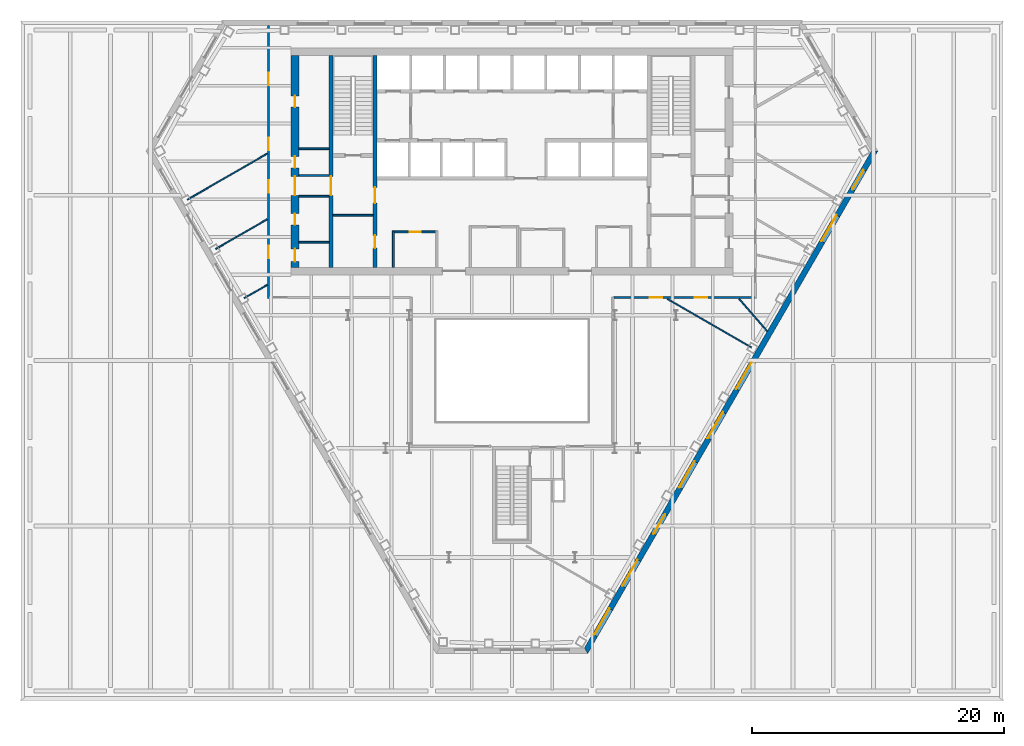
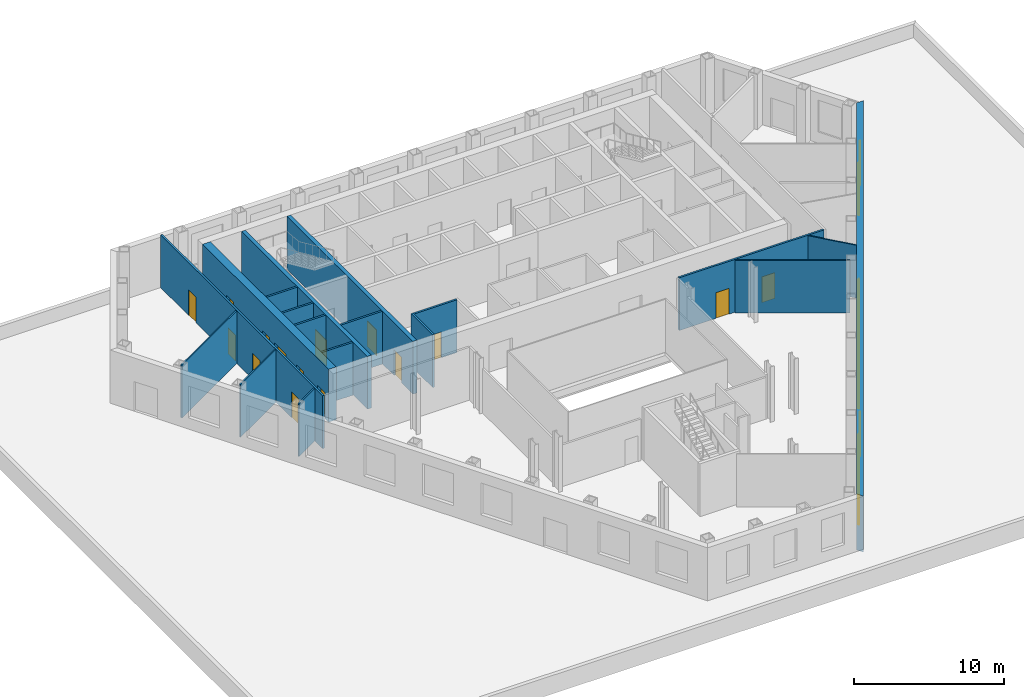
# One storey, part 7 of 14: 18 walls, 17 doors, 6 windows, 23 openings.
"""IFC4 building model written with IfcOpenShell, lengths in metres."""

from ifc_helpers import new_model, si_unit, direction, frame, frame_2d, origin, place, context, subcontext, project, spatial, polyline, rectangle, outline, extrude, material, layer, layer_set, type_object, element, fill, save


model = new_model("IFC4")

# Units and contexts
model_context = context("Model", 3, precision=1e-05, world=origin(), true_north=direction((0.0, 1.0)))
body_context = subcontext(model_context, "Body", "Model", "MODEL_VIEW")
ifc_project = project(units=[si_unit("LENGTHUNIT", "METRE"), si_unit("AREAUNIT", "SQUARE_METRE"), si_unit("VOLUMEUNIT", "CUBIC_METRE"), si_unit("PLANEANGLEUNIT", "RADIAN"), si_unit("MASSUNIT", "GRAM", prefix="KILO")], contexts=[model_context])

# Site, building, storey
site_placement = place(None, origin())
site = spatial("IfcSite", under=ifc_project, at=site_placement, CompositionType="ELEMENT")
building_placement = place(site_placement, origin())
building = spatial("IfcBuilding", under=site, at=building_placement, Name="Njiva Tower", CompositionType="ELEMENT")
storey_placement = place(building_placement, frame((0.0, 0.0, 28.8)))
storey = spatial("IfcBuildingStorey", under=building, at=storey_placement, Name="L05", CompositionType="ELEMENT", Elevation=28.8)

# Walls
ifc_material_1 = material(Name="Blockwork", Category="masonry")
ifc_layer_1 = layer(ifc_material_1, 0.15)
ifc_layer_set_1 = layer_set([ifc_layer_1], Name="Blockwork")
wall_type_1 = type_object("IfcWallType", Name="WT1 Compartment partition 150", PredefinedType="PARTITIONING", material=ifc_layer_set_1)
wall_1_placement = place(storey_placement, frame((-14.2, 4.725, 0.0), z_axis=(0.0, 0.0, 1.0), x_axis=(1.0, 0.0, 0.0)))
element("IfcWall", 1, at=wall_1_placement, inside=storey, type_object=wall_type_1, Name="Room wall A", PredefinedType="PARTITIONING", context=body_context, shape_type="SweptSolid", body=[
    extrude(rectangle(XDim=3.2, YDim=0.15, at=frame_2d((1.6, 0.0))), origin(), (0.0, 0.0, 1.0), 4.3),
])
wall_2_placement = place(storey_placement, frame((-16.9, 2.5809, 0.0), z_axis=(0.0, 0.0, 1.0), x_axis=(1.0, 0.0, 0.0)))
element("IfcWall", 2, at=wall_2_placement, inside=storey, type_object=wall_type_1, Name="Partition strip W00", PredefinedType="PARTITIONING", context=body_context, shape_type="SweptSolid", body=[
    extrude(rectangle(XDim=2.4, YDim=0.15, at=frame_2d((1.2, 0.0))), origin(), (0.0, 0.0, 1.0), 4.3),
])
wall_3_placement = place(storey_placement, frame((-9.4, 0.6, 0.0), z_axis=(0.0, 0.0, 1.0), x_axis=(0.0, 1.0, 0.0)))
element("IfcWall", 3, at=wall_3_placement, inside=storey, type_object=wall_type_1, Name="Parcel room wall west", PredefinedType="PARTITIONING", context=body_context, shape_type="SweptSolid", body=[
    extrude(rectangle(XDim=2.875, YDim=0.15, at=frame_2d((1.4375, 0.0))), origin(), (0.0, 0.0, 1.0), 4.3),
])

# Wall, opening, door
wall_4_placement = place(storey_placement, frame((-9.325, 3.4, 0.0), z_axis=(0.0, 0.0, 1.0), x_axis=(1.0, 0.0, 0.0)))
wall_4 = element("IfcWall", 4, at=wall_4_placement, inside=storey, type_object=wall_type_1, Name="Parcel room wall north", PredefinedType="PARTITIONING", context=body_context, shape_type="SweptSolid", body=[
    extrude(rectangle(XDim=3.3, YDim=0.15, at=frame_2d((1.65, 0.0))), origin(), (0.0, 0.0, 1.0), 4.3),
])
opening_1_placement = place(wall_4_placement, frame((1.2, 0.0, 0.0)))
opening_1 = element("IfcOpeningElement", 5, at=opening_1_placement, cuts=wall_4, Name="Opening S01-D932", PredefinedType="OPENING", context=body_context, shape_type="SweptSolid", body=[
    extrude(rectangle(XDim=0.9, YDim=2.1, at=frame_2d((0.45, 1.05))), frame((0.0, 0.085, 0.0), z_axis=(0.0, -1.0, 0.0), x_axis=(1.0, 0.0, 0.0)), (0.0, 0.0, 1.0), 0.17),
])
ifc_material_2 = material(Name="Steel fire door, painted", Category="steel")
door_type_1 = type_object("IfcDoorType", Name="D6 Fire-rated door 900x2100", OperationType="SINGLE_SWING_LEFT", PredefinedType="DOOR", material=ifc_material_2)
door_1_placement = place(opening_1_placement, origin())
door_1 = element("IfcDoor", 6, at=door_1_placement, inside=storey, type_object=door_type_1, Name="Parcel room door", OperationType="SINGLE_SWING_RIGHT", OverallHeight=2.1, OverallWidth=0.9, PredefinedType="DOOR", context=body_context, shape_type="SweptSolid", body=[
    extrude(rectangle(XDim=0.9, YDim=2.1, at=frame_2d((0.45, 1.05))), frame((0.0, 0.025, 0.0), z_axis=(0.0, -1.0, 0.0), x_axis=(1.0, 0.0, 0.0)), (0.0, 0.0, 1.0), 0.05),
])
fill(opening_1, door_1)

# Wall, openings, doors
ifc_material_3 = material(Name="Concrete C40/50", Category="concrete")
ifc_layer_2 = layer(ifc_material_3, 0.3)
ifc_layer_set_2 = layer_set([ifc_layer_2], Name="Concrete C40/50")
wall_type_2 = type_object("IfcWallType", Name="WT10 Stair enclosure wall 300", PredefinedType="SHEAR", material=ifc_layer_set_2)
wall_5_placement = place(storey_placement, frame((-10.85, 0.6, 0.0), z_axis=(0.0, 0.0, 1.0), x_axis=(0.0, 1.0, 0.0)))
wall_5 = element("IfcWall", 7, at=wall_5_placement, inside=storey, type_object=wall_type_2, Name="Stair wall west inner", PredefinedType="SHEAR", context=body_context, shape_type="SweptSolid", body=[
    extrude(rectangle(XDim=16.8, YDim=0.3, at=frame_2d((8.4, 0.0))), origin(), (0.0, 0.0, 1.0), 4.3),
])
opening_2_placement = place(wall_5_placement, frame((5.075, 0.0, 0.0)))
opening_2 = element("IfcOpeningElement", 8, at=opening_2_placement, cuts=wall_5, Name="Opening S01-D914", PredefinedType="OPENING", context=body_context, shape_type="SweptSolid", body=[
    extrude(rectangle(XDim=1.25, YDim=2.1, at=frame_2d((0.625, 1.05))), frame((0.0, 0.16, 0.0), z_axis=(0.0, -1.0, 0.0), x_axis=(1.0, 0.0, 0.0)), (0.0, 0.0, 1.0), 0.32),
])
opening_3_placement = place(wall_5_placement, frame((1.525, 0.0, 0.0)))
opening_3 = element("IfcOpeningElement", 9, at=opening_3_placement, cuts=wall_5, Name="Opening S01-D915", PredefinedType="OPENING", context=body_context, shape_type="SweptSolid", body=[
    extrude(rectangle(XDim=1.0, YDim=2.1, at=frame_2d((0.5, 1.05))), frame((0.0, 0.16, 0.0), z_axis=(0.0, -1.0, 0.0), x_axis=(1.0, 0.0, 0.0)), (0.0, 0.0, 1.0), 0.32),
])
ifc_material_4 = material(Name="Steel door, painted", Category="steel")
door_type_2 = type_object("IfcDoorType", Name="D5 Steel door 1000x2100", OperationType="SINGLE_SWING_LEFT", PredefinedType="DOOR", material=ifc_material_4)
door_2_placement = place(opening_3_placement, origin())
door_2 = element("IfcDoor", 10, at=door_2_placement, inside=storey, type_object=door_type_2, Name="Quiet room door", OperationType="SINGLE_SWING_RIGHT", OverallHeight=2.1, OverallWidth=1.0, PredefinedType="DOOR", context=body_context, shape_type="SweptSolid", body=[
    extrude(rectangle(XDim=1.0, YDim=2.1, at=frame_2d((0.5, 1.05))), frame((0.0, 0.025, 0.0), z_axis=(0.0, -1.0, 0.0), x_axis=(1.0, 0.0, 0.0)), (0.0, 0.0, 1.0), 0.05),
])
fill(opening_3, door_2)
ifc_material_5 = material(Name="Glazed steel fire door", Category="steel")
door_type_3 = type_object("IfcDoorType", Name="D8 Vestibule corridor door 1250x2100 glazed", OperationType="SINGLE_SWING_LEFT", PredefinedType="DOOR", material=ifc_material_5)
door_3_placement = place(opening_2_placement, origin())
door_3 = element("IfcDoor", 11, at=door_3_placement, inside=storey, type_object=door_type_3, Name="Stair vestibule corridor door", OperationType="SINGLE_SWING_LEFT", OverallHeight=2.1, OverallWidth=1.25, PredefinedType="DOOR", context=body_context, shape_type="SweptSolid", body=[
    extrude(rectangle(XDim=1.25, YDim=2.1, at=frame_2d((0.625, 1.05))), frame((0.0, 0.025, 0.0), z_axis=(0.0, -1.0, 0.0), x_axis=(1.0, 0.0, 0.0)), (0.0, 0.0, 1.0), 0.05),
])
fill(opening_2, door_3)

# Wall, opening, door
wall_6_placement = place(storey_placement, frame((-14.35, 0.6, 0.0), z_axis=(0.0, 0.0, 1.0), x_axis=(0.0, 1.0, 0.0)))
wall_6 = element("IfcWall", 12, at=wall_6_placement, inside=storey, type_object=wall_type_2, Name="Stair wall west outer", PredefinedType="SHEAR", context=body_context, shape_type="SweptSolid", body=[
    extrude(rectangle(XDim=16.8, YDim=0.3, at=frame_2d((8.4, 0.0))), origin(), (0.0, 0.0, 1.0), 4.3),
])
opening_4_placement = place(wall_6_placement, frame((5.7, 0.0, 0.0)))
opening_4 = element("IfcOpeningElement", 13, at=opening_4_placement, cuts=wall_6, Name="Opening S01-D920", PredefinedType="OPENING", context=body_context, shape_type="SweptSolid", body=[
    extrude(rectangle(XDim=1.5, YDim=2.1, at=frame_2d((0.75, 1.05))), frame((0.0, 0.16, 0.0), z_axis=(0.0, -1.0, 0.0), x_axis=(1.0, 0.0, 0.0)), (0.0, 0.0, 1.0), 0.32),
])
door_type_4 = type_object("IfcDoorType", Name="D10 Exit door double 1500x2100 glazed", OperationType="DOUBLE_DOOR_SINGLE_SWING", PredefinedType="DOOR", material=ifc_material_5)
door_4_placement = place(opening_4_placement, origin())
door_4 = element("IfcDoor", 14, at=door_4_placement, inside=storey, type_object=door_type_4, Name="Stair A passage door", OperationType="DOUBLE_DOOR_SINGLE_SWING", OverallHeight=2.1, OverallWidth=1.5, PredefinedType="DOOR", context=body_context, shape_type="SweptSolid", body=[
    extrude(rectangle(XDim=1.5, YDim=2.1, at=frame_2d((0.75, 1.05))), frame((0.0, 0.025, 0.0), z_axis=(0.0, -1.0, 0.0), x_axis=(1.0, 0.0, 0.0)), (0.0, 0.0, 1.0), 0.05),
])
fill(opening_4, door_4)

# Wall, openings, doors
ifc_material_6 = material(Name="Concrete C60/75", Category="concrete")
ifc_layer_3 = layer(ifc_material_6, 0.6)
ifc_layer_set_3 = layer_set([ifc_layer_3], Name="Concrete C60/75")
wall_type_3 = type_object("IfcWallType", Name="WT15 Core wall 600", PredefinedType="SHEAR", material=ifc_layer_set_3)
wall_7_placement = place(storey_placement, frame((-17.2, 0.6, 0.0), z_axis=(0.0, 0.0, 1.0), x_axis=(0.0, 1.0, 0.0)))
wall_7 = element("IfcWall", 15, at=wall_7_placement, inside=storey, type_object=wall_type_3, Name="Core wall west", PredefinedType="SHEAR", context=body_context, shape_type="SweptSolid", body=[
    extrude(rectangle(XDim=16.8, YDim=0.6, at=frame_2d((8.4, 0.0))), origin(), (0.0, 0.0, 1.0), 4.3),
])
opening_5_placement = place(wall_7_placement, frame((5.7, 0.0, 0.0)))
opening_5 = element("IfcOpeningElement", 16, at=opening_5_placement, cuts=wall_7, Name="Opening S01-D921", PredefinedType="OPENING", context=body_context, shape_type="SweptSolid", body=[
    extrude(rectangle(XDim=1.5, YDim=2.1, at=frame_2d((0.75, 1.05))), frame((0.0, 0.31, 0.0), z_axis=(0.0, -1.0, 0.0), x_axis=(1.0, 0.0, 0.0)), (0.0, 0.0, 1.0), 0.62),
])
opening_6_placement = place(wall_7_placement, frame((0.4529, 0.0, 0.0)))
opening_6 = element("IfcOpeningElement", 17, at=opening_6_placement, cuts=wall_7, Name="Opening S01-D922", PredefinedType="OPENING", context=body_context, shape_type="SweptSolid", body=[
    extrude(rectangle(XDim=1.0, YDim=2.1, at=frame_2d((0.5, 1.05))), frame((0.0, 0.31, 0.0), z_axis=(0.0, -1.0, 0.0), x_axis=(1.0, 0.0, 0.0)), (0.0, 0.0, 1.0), 0.62),
])
opening_7_placement = place(wall_7_placement, frame((3.3529, 0.0, 0.0)))
opening_7 = element("IfcOpeningElement", 18, at=opening_7_placement, cuts=wall_7, Name="Opening S01-D923", PredefinedType="OPENING", context=body_context, shape_type="SweptSolid", body=[
    extrude(rectangle(XDim=0.9, YDim=2.1, at=frame_2d((0.45, 1.05))), frame((0.0, 0.31, 0.0), z_axis=(0.0, -1.0, 0.0), x_axis=(1.0, 0.0, 0.0)), (0.0, 0.0, 1.0), 0.62),
])
opening_8_placement = place(wall_7_placement, frame((7.8864, 0.0, 0.0)))
opening_8 = element("IfcOpeningElement", 19, at=opening_8_placement, cuts=wall_7, Name="Opening S01-D924", PredefinedType="OPENING", context=body_context, shape_type="SweptSolid", body=[
    extrude(rectangle(XDim=0.9, YDim=2.1, at=frame_2d((0.45, 1.05))), frame((0.0, 0.31, 0.0), z_axis=(0.0, -1.0, 0.0), x_axis=(1.0, 0.0, 0.0)), (0.0, 0.0, 1.0), 0.62),
])
opening_9_placement = place(wall_7_placement, frame((12.6864, 0.0, 0.0)))
opening_9 = element("IfcOpeningElement", 20, at=opening_9_placement, cuts=wall_7, Name="Opening S01-D925", PredefinedType="OPENING", context=body_context, shape_type="SweptSolid", body=[
    extrude(rectangle(XDim=0.9, YDim=2.1, at=frame_2d((0.45, 1.05))), frame((0.0, 0.31, 0.0), z_axis=(0.0, -1.0, 0.0), x_axis=(1.0, 0.0, 0.0)), (0.0, 0.0, 1.0), 0.62),
])
door_5_placement = place(opening_5_placement, origin())
door_5 = element("IfcDoor", 21, at=door_5_placement, inside=storey, type_object=door_type_4, Name="Stair A corridor door", OperationType="DOUBLE_DOOR_SINGLE_SWING", OverallHeight=2.1, OverallWidth=1.5, PredefinedType="DOOR", context=body_context, shape_type="SweptSolid", body=[
    extrude(rectangle(XDim=1.5, YDim=2.1, at=frame_2d((0.75, 1.05))), frame((0.0, 0.025, 0.0), z_axis=(0.0, -1.0, 0.0), x_axis=(1.0, 0.0, 0.0)), (0.0, 0.0, 1.0), 0.05),
])
fill(opening_5, door_5)
door_type_5 = type_object("IfcDoorType", Name="D4 Riser door 900x2100", OperationType="SINGLE_SWING_LEFT", PredefinedType="DOOR", material=ifc_material_4)
door_6_placement = place(opening_8_placement, origin())
door_6 = element("IfcDoor", 22, at=door_6_placement, inside=storey, type_object=door_type_5, Name="Riser door", OperationType="SINGLE_SWING_RIGHT", OverallHeight=2.1, OverallWidth=0.9, PredefinedType="DOOR", context=body_context, shape_type="SweptSolid", body=[
    extrude(rectangle(XDim=0.9, YDim=2.1, at=frame_2d((0.45, 1.05))), frame((0.0, 0.025, 0.0), z_axis=(0.0, -1.0, 0.0), x_axis=(1.0, 0.0, 0.0)), (0.0, 0.0, 1.0), 0.05),
])
fill(opening_8, door_6)
door_7_placement = place(opening_6_placement, origin())
door_7 = element("IfcDoor", 23, at=door_7_placement, inside=storey, type_object=door_type_2, Name="Electrical room door", OperationType="SINGLE_SWING_LEFT", OverallHeight=2.1, OverallWidth=1.0, PredefinedType="DOOR", context=body_context, shape_type="SweptSolid", body=[
    extrude(rectangle(XDim=1.0, YDim=2.1, at=frame_2d((0.5, 1.05))), frame((0.0, 0.025, 0.0), z_axis=(0.0, -1.0, 0.0), x_axis=(1.0, 0.0, 0.0)), (0.0, 0.0, 1.0), 0.05),
])
fill(opening_6, door_7)
door_8_placement = place(opening_7_placement, origin())
door_8 = element("IfcDoor", 24, at=door_8_placement, inside=storey, type_object=door_type_1, Name="Quiet room door", OperationType="SINGLE_SWING_LEFT", OverallHeight=2.1, OverallWidth=0.9, PredefinedType="DOOR", context=body_context, shape_type="SweptSolid", body=[
    extrude(rectangle(XDim=0.9, YDim=2.1, at=frame_2d((0.45, 1.05))), frame((0.0, 0.025, 0.0), z_axis=(0.0, -1.0, 0.0), x_axis=(1.0, 0.0, 0.0)), (0.0, 0.0, 1.0), 0.05),
])
fill(opening_7, door_8)
door_9_placement = place(opening_9_placement, origin())
door_9 = element("IfcDoor", 25, at=door_9_placement, inside=storey, type_object=door_type_1, Name="Business centre door", OperationType="SINGLE_SWING_RIGHT", OverallHeight=2.1, OverallWidth=0.9, PredefinedType="DOOR", context=body_context, shape_type="SweptSolid", body=[
    extrude(rectangle(XDim=0.9, YDim=2.1, at=frame_2d((0.45, 1.05))), frame((0.0, 0.025, 0.0), z_axis=(0.0, -1.0, 0.0), x_axis=(1.0, 0.0, 0.0)), (0.0, 0.0, 1.0), 0.05),
])
fill(opening_9, door_9)

# Walls
ifc_material_7 = material(Name="Gypsum board on steel studs", Category="gypsum")
ifc_layer_4 = layer(ifc_material_7, 0.1)
ifc_layer_set_4 = layer_set([ifc_layer_4], Name="Gypsum board on steel studs")
wall_type_4 = type_object("IfcWallType", Name="WT20 Gypsum partition 100", PredefinedType="PARTITIONING", material=ifc_layer_set_4)
wall_8_placement = place(storey_placement, frame((-25.736, 5.954, 0.0), z_axis=(0.0, 0.0, 1.0), x_axis=(0.866030807744, 0.499990639951, 0.0)))
element("IfcWall", 26, at=wall_8_placement, inside=storey, type_object=wall_type_4, Name="Partition S01-P001", PredefinedType="PARTITIONING", context=body_context, shape_type="SweptSolid", body=[
    extrude(rectangle(XDim=7.3161, YDim=0.1, at=frame_2d((3.658, 0.0))), origin(), (0.0, 0.0, 1.0), 4.3),
])
wall_9_placement = place(storey_placement, frame((-23.482, 2.05, 0.0), z_axis=(0.0, 0.0, 1.0), x_axis=(0.866001867101, 0.500040764516, 0.0)))
element("IfcWall", 27, at=wall_9_placement, inside=storey, type_object=wall_type_4, Name="Partition S01-P002", PredefinedType="PARTITIONING", context=body_context, shape_type="SweptSolid", body=[
    extrude(rectangle(XDim=4.7136, YDim=0.1, at=frame_2d((2.3568, 0.0))), origin(), (0.0, 0.0, 1.0), 4.3),
])
wall_10_placement = place(storey_placement, frame((-21.228, -1.853, 0.0), z_axis=(0.0, 0.0, 1.0), x_axis=(0.866106696208, 0.499859170951, 0.0)))
element("IfcWall", 28, at=wall_10_placement, inside=storey, type_object=wall_type_4, Name="Partition S01-P003", PredefinedType="PARTITIONING", context=body_context, shape_type="SweptSolid", body=[
    extrude(rectangle(XDim=2.1106, YDim=0.1, at=frame_2d((1.0553, 0.0))), origin(), (0.0, 0.0, 1.0), 4.3),
])
wall_11_placement = place(storey_placement, frame((12.326, -1.918, 0.0), z_axis=(0.0, 0.0, 1.0), x_axis=(0.866014233227, -0.500019347474, 0.0)))
element("IfcWall", 29, at=wall_11_placement, inside=storey, type_object=wall_type_4, Name="Partition S01-P012", PredefinedType="PARTITIONING", context=body_context, shape_type="SweptSolid", body=[
    extrude(rectangle(XDim=7.6777, YDim=0.1, at=frame_2d((3.8388, 0.0))), origin(), (0.0, 0.0, 1.0), 4.3),
])
wall_12_placement = place(storey_placement, frame((17.994, -1.908, 0.0), z_axis=(0.0, 0.0, 1.0), x_axis=(0.656716151121, -0.754137850036, 0.0)))
element("IfcWall", 30, at=wall_12_placement, inside=storey, type_object=wall_type_4, Name="Partition S01-P013", PredefinedType="PARTITIONING", context=body_context, shape_type="SweptSolid", body=[
    extrude(rectangle(XDim=3.4079, YDim=0.1, at=frame_2d((1.704, 0.0))), origin(), (0.0, 0.0, 1.0), 4.3),
])

# Wall, openings, doors
ifc_layer_5 = layer(ifc_material_7, 0.15)
ifc_layer_set_5 = layer_set([ifc_layer_5], Name="Gypsum board on steel studs")
wall_type_5 = type_object("IfcWallType", Name="WT21 Compartment wall 150", PredefinedType="PARTITIONING", material=ifc_layer_set_5)
wall_13_placement = place(storey_placement, frame((-19.3, -1.875, 0.0), z_axis=(0.0, 0.0, 1.0), x_axis=(0.0, 1.0, 0.0)))
wall_13 = element("IfcWall", 31, at=wall_13_placement, inside=storey, type_object=wall_type_5, Name="Partition S01-P004", PredefinedType="PARTITIONING", context=body_context, shape_type="SweptSolid", body=[
    extrude(rectangle(XDim=21.623, YDim=0.15, at=frame_2d((10.8115, 0.0))), origin(), (0.0, 0.0, 1.0), 4.3),
])
opening_10_placement = place(wall_13_placement, frame((3.187, 0.0, 0.0)))
opening_10 = element("IfcOpeningElement", 32, at=opening_10_placement, cuts=wall_13, Name="Opening S01-D001", PredefinedType="OPENING", context=body_context, shape_type="SweptSolid", body=[
    extrude(rectangle(XDim=1.0, YDim=2.1, at=frame_2d((0.5, 1.05))), frame((0.0, 0.085, 0.0), z_axis=(0.0, -1.0, 0.0), x_axis=(1.0, 0.0, 0.0)), (0.0, 0.0, 1.0), 0.17),
])
opening_11_placement = place(wall_13_placement, frame((8.392, 0.0, 0.0)))
opening_11 = element("IfcOpeningElement", 33, at=opening_11_placement, cuts=wall_13, Name="Opening S01-D002", PredefinedType="OPENING", context=body_context, shape_type="SweptSolid", body=[
    extrude(rectangle(XDim=1.0, YDim=2.1, at=frame_2d((0.5, 1.05))), frame((0.0, 0.085, 0.0), z_axis=(0.0, -1.0, 0.0), x_axis=(1.0, 0.0, 0.0)), (0.0, 0.0, 1.0), 0.17),
])
opening_12_placement = place(wall_13_placement, frame((11.747, 0.0, 0.0)))
opening_12 = element("IfcOpeningElement", 34, at=opening_12_placement, cuts=wall_13, Name="Opening S01-D003", PredefinedType="OPENING", context=body_context, shape_type="SweptSolid", body=[
    extrude(rectangle(XDim=1.0, YDim=2.1, at=frame_2d((0.5, 1.05))), frame((0.0, 0.085, 0.0), z_axis=(0.0, -1.0, 0.0), x_axis=(1.0, 0.0, 0.0)), (0.0, 0.0, 1.0), 0.17),
])
opening_13_placement = place(wall_13_placement, frame((16.892, 0.0, 0.0)))
opening_13 = element("IfcOpeningElement", 35, at=opening_13_placement, cuts=wall_13, Name="Opening S01-D004", PredefinedType="OPENING", context=body_context, shape_type="SweptSolid", body=[
    extrude(rectangle(XDim=1.0, YDim=2.1, at=frame_2d((0.5, 1.05))), frame((0.0, 0.085, 0.0), z_axis=(0.0, -1.0, 0.0), x_axis=(1.0, 0.0, 0.0)), (0.0, 0.0, 1.0), 0.17),
])
ifc_material_8 = material(Name="Steel fire door set", Category="steel")
door_type_6 = type_object("IfcDoorType", Name="D37 Fire door 1000x2100", OperationType="SINGLE_SWING_LEFT", PredefinedType="DOOR", material=ifc_material_8)
door_10_placement = place(opening_10_placement, origin())
door_10 = element("IfcDoor", 36, at=door_10_placement, inside=storey, type_object=door_type_6, Name="Door S01-D001", OperationType="SINGLE_SWING_RIGHT", OverallHeight=2.1, OverallWidth=1.0, PredefinedType="DOOR", context=body_context, shape_type="SweptSolid", body=[
    extrude(rectangle(XDim=1.0, YDim=2.1, at=frame_2d((0.5, 1.05))), frame((0.0, 0.025, 0.0), z_axis=(0.0, -1.0, 0.0), x_axis=(1.0, 0.0, 0.0)), (0.0, 0.0, 1.0), 0.05),
])
fill(opening_10, door_10)
door_11_placement = place(opening_11_placement, origin())
door_11 = element("IfcDoor", 37, at=door_11_placement, inside=storey, type_object=door_type_6, Name="Door S01-D002", OperationType="SINGLE_SWING_RIGHT", OverallHeight=2.1, OverallWidth=1.0, PredefinedType="DOOR", context=body_context, shape_type="SweptSolid", body=[
    extrude(rectangle(XDim=1.0, YDim=2.1, at=frame_2d((0.5, 1.05))), frame((0.0, 0.025, 0.0), z_axis=(0.0, -1.0, 0.0), x_axis=(1.0, 0.0, 0.0)), (0.0, 0.0, 1.0), 0.05),
])
fill(opening_11, door_11)
door_12_placement = place(opening_12_placement, origin())
door_12 = element("IfcDoor", 38, at=door_12_placement, inside=storey, type_object=door_type_6, Name="Door S01-D003", OperationType="SINGLE_SWING_LEFT", OverallHeight=2.1, OverallWidth=1.0, PredefinedType="DOOR", context=body_context, shape_type="SweptSolid", body=[
    extrude(rectangle(XDim=1.0, YDim=2.1, at=frame_2d((0.5, 1.05))), frame((0.0, 0.025, 0.0), z_axis=(0.0, -1.0, 0.0), x_axis=(1.0, 0.0, 0.0)), (0.0, 0.0, 1.0), 0.05),
])
fill(opening_12, door_12)
door_13_placement = place(opening_13_placement, origin())
door_13 = element("IfcDoor", 39, at=door_13_placement, inside=storey, type_object=door_type_6, Name="Door S01-D004", OperationType="SINGLE_SWING_LEFT", OverallHeight=2.1, OverallWidth=1.0, PredefinedType="DOOR", context=body_context, shape_type="SweptSolid", body=[
    extrude(rectangle(XDim=1.0, YDim=2.1, at=frame_2d((0.5, 1.05))), frame((0.0, 0.025, 0.0), z_axis=(0.0, -1.0, 0.0), x_axis=(1.0, 0.0, 0.0)), (0.0, 0.0, 1.0), 0.05),
])
fill(opening_13, door_13)

wall_14_placement = place(storey_placement, frame((8.075, -1.8, 0.0), z_axis=(0.0, 0.0, 1.0), x_axis=(1.0, 0.0, 0.0)))
wall_14 = element("IfcWall", 40, at=wall_14_placement, inside=storey, type_object=wall_type_5, Name="Partition S01-P011", PredefinedType="PARTITIONING", context=body_context, shape_type="SweptSolid", body=[
    extrude(rectangle(XDim=11.15, YDim=0.15, at=frame_2d((5.575, 0.0))), origin(), (0.0, 0.0, 1.0), 4.3),
])
opening_14_placement = place(wall_14_placement, frame((2.845, 0.0, 0.0)))
opening_14 = element("IfcOpeningElement", 41, at=opening_14_placement, cuts=wall_14, Name="Opening S01-D008", PredefinedType="OPENING", context=body_context, shape_type="SweptSolid", body=[
    extrude(rectangle(XDim=1.0, YDim=2.1, at=frame_2d((0.5, 1.05))), frame((0.0, 0.085, 0.0), z_axis=(0.0, -1.0, 0.0), x_axis=(1.0, 0.0, 0.0)), (0.0, 0.0, 1.0), 0.17),
])
opening_15_placement = place(wall_14_placement, frame((6.395, 0.0, 0.0)))
opening_15 = element("IfcOpeningElement", 42, at=opening_15_placement, cuts=wall_14, Name="Opening S01-D009", PredefinedType="OPENING", context=body_context, shape_type="SweptSolid", body=[
    extrude(rectangle(XDim=1.0, YDim=2.1, at=frame_2d((0.5, 1.05))), frame((0.0, 0.085, 0.0), z_axis=(0.0, -1.0, 0.0), x_axis=(1.0, 0.0, 0.0)), (0.0, 0.0, 1.0), 0.17),
])
door_14_placement = place(opening_14_placement, origin())
door_14 = element("IfcDoor", 43, at=door_14_placement, inside=storey, type_object=door_type_6, Name="Door S01-D008", OperationType="SINGLE_SWING_RIGHT", OverallHeight=2.1, OverallWidth=1.0, PredefinedType="DOOR", context=body_context, shape_type="SweptSolid", body=[
    extrude(rectangle(XDim=1.0, YDim=2.1, at=frame_2d((0.5, 1.05))), frame((0.0, 0.025, 0.0), z_axis=(0.0, -1.0, 0.0), x_axis=(1.0, 0.0, 0.0)), (0.0, 0.0, 1.0), 0.05),
])
fill(opening_14, door_14)
door_15_placement = place(opening_15_placement, origin())
door_15 = element("IfcDoor", 44, at=door_15_placement, inside=storey, type_object=door_type_6, Name="Door S01-D009", OperationType="SINGLE_SWING_RIGHT", OverallHeight=2.1, OverallWidth=1.0, PredefinedType="DOOR", context=body_context, shape_type="SweptSolid", body=[
    extrude(rectangle(XDim=1.0, YDim=2.1, at=frame_2d((0.5, 1.05))), frame((0.0, 0.025, 0.0), z_axis=(0.0, -1.0, 0.0), x_axis=(1.0, 0.0, 0.0)), (0.0, 0.0, 1.0), 0.05),
])
fill(opening_15, door_15)

# Walls
ifc_layer_6 = layer(ifc_material_1, 0.15)
ifc_layer_set_6 = layer_set([ifc_layer_6], Name="Blockwork")
wall_type_6 = type_object("IfcWallType", Name="WT3 Riser partition 150", PredefinedType="PARTITIONING", material=ifc_layer_set_6)
wall_15_placement = place(storey_placement, frame((-16.9, 9.9977, 0.0), z_axis=(0.0, 0.0, 1.0), x_axis=(1.0, 0.0, 0.0)))
element("IfcWall", 45, at=wall_15_placement, inside=storey, type_object=wall_type_6, Name="Partition strip W10", PredefinedType="PARTITIONING", context=body_context, shape_type="SweptSolid", body=[
    extrude(rectangle(XDim=2.4, YDim=0.15, at=frame_2d((1.2, 0.0))), origin(), (0.0, 0.0, 1.0), 4.3),
])
ifc_layer_7 = layer(ifc_material_1, 0.15)
ifc_layer_set_7 = layer_set([ifc_layer_7], Name="Blockwork")
wall_type_7 = type_object("IfcWallType", Name="WT4 Stair partition 150", PredefinedType="PARTITIONING", material=ifc_layer_set_7)
for number, where, z_axis, x_axis, name in (
    (46, (-16.9, 6.225, 0.0), (0.0, 0.0, 1.0), (1.0, 0.0, 0.0), "Stair A exit passage wall south"),
    (47, (-16.9, 7.875, 0.0), (0.0, 0.0, 1.0), (1.0, 0.0, 0.0), "Stair A exit passage wall north"),
):
    element("IfcWall", number, at=place(storey_placement, frame(where, z_axis=z_axis, x_axis=x_axis)), inside=storey, type_object=wall_type_7, Name=name, PredefinedType="PARTITIONING", context=body_context, shape_type="SweptSolid", body=[
        extrude(rectangle(XDim=2.4, YDim=0.15, at=frame_2d((1.2, 0.0))), origin(), (0.0, 0.0, 1.0), 4.3),
    ])

# Wall, openings, doors, windows
ifc_material_9 = material(Name="Brick masonry", Category="masonry")
ifc_layer_8 = layer(ifc_material_9, 0.45)
ifc_layer_set_8 = layer_set([ifc_layer_8], Name="Brick masonry")
wall_type_8 = type_object("IfcWallType", Name="WT90 Brick pier and spandrel wall 450", PredefinedType="SOLIDWALL", material=ifc_layer_set_8)
wall_16_placement = place(storey_placement, frame((5.8701, -29.8045, -0.23), z_axis=(0.0, 0.0, 1.0), x_axis=(0.499999764979, 0.866025539474, 0.0)))
wall_16 = element("IfcWall", 48, at=wall_16_placement, inside=storey, type_object=wall_type_8, Name="Facade wall SE", PredefinedType="SOLIDWALL", context=body_context, shape_type="SweptSolid", body=[
    extrude(outline(polyline([(-0.1299, -0.225), (45.8701, -0.225), (45.6103, 0.225), (0.1299, 0.225), (-0.1299, -0.225)])), origin(), (0.0, 0.0, 1.0), 4.55),
])
opening_16_placement = place(wall_16_placement, frame((1.4242, 0.0, 1.13)))
opening_16 = element("IfcOpeningElement", 49, at=opening_16_placement, cuts=wall_16, Name="Opening S01-W22", PredefinedType="OPENING", context=body_context, shape_type="SweptSolid", body=[
    extrude(rectangle(XDim=2.4, YDim=2.6, at=frame_2d((1.2, 1.3))), frame((0.0, 0.235, 0.0), z_axis=(0.0, -1.0, 0.0), x_axis=(1.0, 0.0, 0.0)), (0.0, 0.0, 1.0), 0.47),
])
opening_17_placement = place(wall_16_placement, frame((5.8934, 0.0, 1.13)))
opening_17 = element("IfcOpeningElement", 50, at=opening_17_placement, cuts=wall_16, Name="Opening S01-W23", PredefinedType="OPENING", context=body_context, shape_type="SweptSolid", body=[
    extrude(rectangle(XDim=2.4, YDim=2.6, at=frame_2d((1.2, 1.3))), frame((0.0, 0.235, 0.0), z_axis=(0.0, -1.0, 0.0), x_axis=(1.0, 0.0, 0.0)), (0.0, 0.0, 1.0), 0.47),
])
opening_18_placement = place(wall_16_placement, frame((10.701, 0.0, 0.23)))
opening_18 = element("IfcOpeningElement", 51, at=opening_18_placement, cuts=wall_16, Name="Opening S01-D04", PredefinedType="OPENING", context=body_context, shape_type="SweptSolid", body=[
    extrude(rectangle(XDim=1.8, YDim=2.4, at=frame_2d((0.9, 1.2))), frame((0.0, 0.235, 0.0), z_axis=(0.0, -1.0, 0.0), x_axis=(1.0, 0.0, 0.0)), (0.0, 0.0, 1.0), 0.47),
])
opening_19_placement = place(wall_16_placement, frame((14.9087, 0.0, 1.13)))
opening_19 = element("IfcOpeningElement", 52, at=opening_19_placement, cuts=wall_16, Name="Opening S01-W24", PredefinedType="OPENING", context=body_context, shape_type="SweptSolid", body=[
    extrude(rectangle(XDim=2.4, YDim=2.6, at=frame_2d((1.2, 1.3))), frame((0.0, 0.235, 0.0), z_axis=(0.0, -1.0, 0.0), x_axis=(1.0, 0.0, 0.0)), (0.0, 0.0, 1.0), 0.47),
])
opening_20_placement = place(wall_16_placement, frame((19.4163, 0.0, 1.13)))
opening_20 = element("IfcOpeningElement", 53, at=opening_20_placement, cuts=wall_16, Name="Opening S01-W25", PredefinedType="OPENING", context=body_context, shape_type="SweptSolid", body=[
    extrude(rectangle(XDim=2.4, YDim=2.6, at=frame_2d((1.2, 1.3))), frame((0.0, 0.235, 0.0), z_axis=(0.0, -1.0, 0.0), x_axis=(1.0, 0.0, 0.0)), (0.0, 0.0, 1.0), 0.47),
])
opening_21_placement = place(wall_16_placement, frame((23.9239, 0.0, 1.13)))
opening_21 = element("IfcOpeningElement", 54, at=opening_21_placement, cuts=wall_16, Name="Opening S01-W26", PredefinedType="OPENING", context=body_context, shape_type="SweptSolid", body=[
    extrude(rectangle(XDim=2.4, YDim=2.6, at=frame_2d((1.2, 1.3))), frame((0.0, 0.235, 0.0), z_axis=(0.0, -1.0, 0.0), x_axis=(1.0, 0.0, 0.0)), (0.0, 0.0, 1.0), 0.47),
])
opening_22_placement = place(wall_16_placement, frame((37.4468, 0.0, 1.13)))
opening_22 = element("IfcOpeningElement", 55, at=opening_22_placement, cuts=wall_16, Name="Opening S01-W27", PredefinedType="OPENING", context=body_context, shape_type="SweptSolid", body=[
    extrude(rectangle(XDim=2.4, YDim=2.6, at=frame_2d((1.2, 1.3))), frame((0.0, 0.235, 0.0), z_axis=(0.0, -1.0, 0.0), x_axis=(1.0, 0.0, 0.0)), (0.0, 0.0, 1.0), 0.47),
])
opening_23_placement = place(wall_16_placement, frame((42.216, 0.0, 0.23)))
opening_23 = element("IfcOpeningElement", 56, at=opening_23_placement, cuts=wall_16, Name="Opening S01-D05", PredefinedType="OPENING", context=body_context, shape_type="SweptSolid", body=[
    extrude(rectangle(XDim=1.8, YDim=2.4, at=frame_2d((0.9, 1.2))), frame((0.0, 0.235, 0.0), z_axis=(0.0, -1.0, 0.0), x_axis=(1.0, 0.0, 0.0)), (0.0, 0.0, 1.0), 0.47),
])
ifc_material_10 = material(Name="Aluminium frame with clear glazing", Category="aluminium")
door_type_7 = type_object("IfcDoorType", Name="D92 Terrace door pair 1800x2400", OperationType="DOUBLE_DOOR_SINGLE_SWING", PredefinedType="DOOR", material=ifc_material_10)
door_16_placement = place(opening_18_placement, frame((1.8, 0.0, 0.0), z_axis=(0.0, 0.0, 1.0), x_axis=(-1.0, 0.0, 0.0)))
door_16 = element("IfcDoor", 57, at=door_16_placement, inside=storey, type_object=door_type_7, Name="Terrace door", OperationType="DOUBLE_DOOR_SINGLE_SWING", OverallHeight=2.4, OverallWidth=1.8, PredefinedType="DOOR", context=body_context, shape_type="SweptSolid", body=[
    extrude(rectangle(XDim=1.8, YDim=2.4, at=frame_2d((0.9, 1.2))), frame((0.0, 0.025, 0.0), z_axis=(0.0, -1.0, 0.0), x_axis=(1.0, 0.0, 0.0)), (0.0, 0.0, 1.0), 0.05),
])
fill(opening_18, door_16)
door_17_placement = place(opening_23_placement, frame((1.8, 0.0, 0.0), z_axis=(0.0, 0.0, 1.0), x_axis=(-1.0, 0.0, 0.0)))
door_17 = element("IfcDoor", 58, at=door_17_placement, inside=storey, type_object=door_type_7, Name="Terrace door", OperationType="DOUBLE_DOOR_SINGLE_SWING", OverallHeight=2.4, OverallWidth=1.8, PredefinedType="DOOR", context=body_context, shape_type="SweptSolid", body=[
    extrude(rectangle(XDim=1.8, YDim=2.4, at=frame_2d((0.9, 1.2))), frame((0.0, 0.025, 0.0), z_axis=(0.0, -1.0, 0.0), x_axis=(1.0, 0.0, 0.0)), (0.0, 0.0, 1.0), 0.05),
])
fill(opening_23, door_17)
ifc_material_11 = material(Name="Clear glazing in aluminium frame", Category="aluminium")
window_type = type_object("IfcWindowType", Name="W92 Deep-set window 2400x2600", PartitioningType="SINGLE_PANEL", PredefinedType="WINDOW", material=ifc_material_11)
window_1_placement = place(opening_16_placement, origin())
window_1 = element("IfcWindow", 59, at=window_1_placement, inside=storey, type_object=window_type, Name="Window", OverallHeight=2.6, OverallWidth=2.4, PartitioningType="SINGLE_PANEL", PredefinedType="WINDOW", context=body_context, shape_type="SweptSolid", body=[
    extrude(rectangle(XDim=2.4, YDim=2.6, at=frame_2d((1.2, 1.3))), frame((0.0, 0.105, 0.0), z_axis=(0.0, -1.0, 0.0), x_axis=(1.0, 0.0, 0.0)), (0.0, 0.0, 1.0), 0.06),
])
fill(opening_16, window_1)
window_2_placement = place(opening_17_placement, origin())
window_2 = element("IfcWindow", 60, at=window_2_placement, inside=storey, type_object=window_type, Name="Window", OverallHeight=2.6, OverallWidth=2.4, PartitioningType="SINGLE_PANEL", PredefinedType="WINDOW", context=body_context, shape_type="SweptSolid", body=[
    extrude(rectangle(XDim=2.4, YDim=2.6, at=frame_2d((1.2, 1.3))), frame((0.0, 0.105, 0.0), z_axis=(0.0, -1.0, 0.0), x_axis=(1.0, 0.0, 0.0)), (0.0, 0.0, 1.0), 0.06),
])
fill(opening_17, window_2)
window_3_placement = place(opening_19_placement, origin())
window_3 = element("IfcWindow", 61, at=window_3_placement, inside=storey, type_object=window_type, Name="Window", OverallHeight=2.6, OverallWidth=2.4, PartitioningType="SINGLE_PANEL", PredefinedType="WINDOW", context=body_context, shape_type="SweptSolid", body=[
    extrude(rectangle(XDim=2.4, YDim=2.6, at=frame_2d((1.2, 1.3))), frame((0.0, 0.105, 0.0), z_axis=(0.0, -1.0, 0.0), x_axis=(1.0, 0.0, 0.0)), (0.0, 0.0, 1.0), 0.06),
])
fill(opening_19, window_3)
window_4_placement = place(opening_20_placement, origin())
window_4 = element("IfcWindow", 62, at=window_4_placement, inside=storey, type_object=window_type, Name="Window", OverallHeight=2.6, OverallWidth=2.4, PartitioningType="SINGLE_PANEL", PredefinedType="WINDOW", context=body_context, shape_type="SweptSolid", body=[
    extrude(rectangle(XDim=2.4, YDim=2.6, at=frame_2d((1.2, 1.3))), frame((0.0, 0.105, 0.0), z_axis=(0.0, -1.0, 0.0), x_axis=(1.0, 0.0, 0.0)), (0.0, 0.0, 1.0), 0.06),
])
fill(opening_20, window_4)
window_5_placement = place(opening_21_placement, origin())
window_5 = element("IfcWindow", 63, at=window_5_placement, inside=storey, type_object=window_type, Name="Window", OverallHeight=2.6, OverallWidth=2.4, PartitioningType="SINGLE_PANEL", PredefinedType="WINDOW", context=body_context, shape_type="SweptSolid", body=[
    extrude(rectangle(XDim=2.4, YDim=2.6, at=frame_2d((1.2, 1.3))), frame((0.0, 0.105, 0.0), z_axis=(0.0, -1.0, 0.0), x_axis=(1.0, 0.0, 0.0)), (0.0, 0.0, 1.0), 0.06),
])
fill(opening_21, window_5)
window_6_placement = place(opening_22_placement, origin())
window_6 = element("IfcWindow", 64, at=window_6_placement, inside=storey, type_object=window_type, Name="Window", OverallHeight=2.6, OverallWidth=2.4, PartitioningType="SINGLE_PANEL", PredefinedType="WINDOW", context=body_context, shape_type="SweptSolid", body=[
    extrude(rectangle(XDim=2.4, YDim=2.6, at=frame_2d((1.2, 1.3))), frame((0.0, 0.105, 0.0), z_axis=(0.0, -1.0, 0.0), x_axis=(1.0, 0.0, 0.0)), (0.0, 0.0, 1.0), 0.06),
])
fill(opening_22, window_6)

save(model, "model.ifc")
